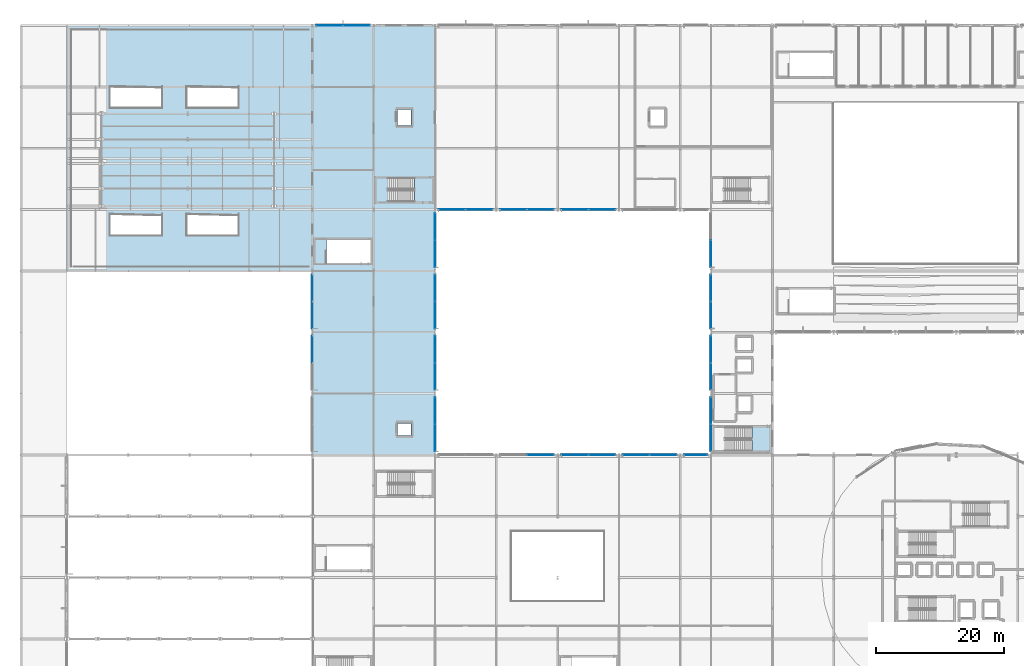
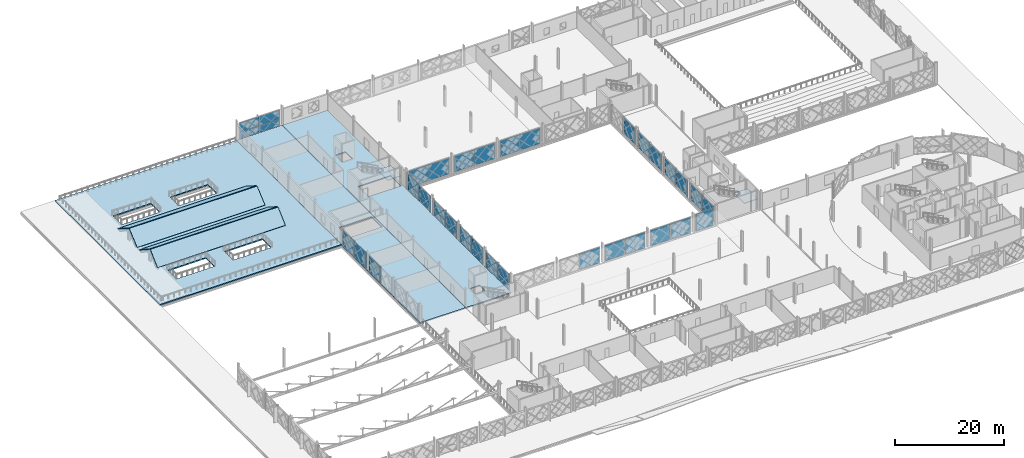
# One storey, part 61 of 101: 42 plates, 9 slabs, 20 elements without a shape of their own.
"""IFC4 building model written with IfcOpenShell, lengths in metres."""

import ifcopenshell
import ifcopenshell.guid

model = None  # the IFC model being written
_history = None  # IfcOwnerHistory: only IFC2X3 demands one
_inside = {}  # id of a spatial element -> (the spatial element, [elements in it])
_under = {}  # id of a project, library or spatial element -> (it, [spatial elements below it])
_declared = {}  # id of a project -> (the project, [libraries it declares])
_typed = {}  # id of a type object -> (the type object, [elements of that type])
_made_of = {}  # id of a material, layer set ... -> (it, [elements and type objects made of it])


def new_model(schema):
    """Start an empty IFC model of exactly this schema.

    Asked for "IFC4X3", IfcOpenShell would pick the latest addendum, in which some entities
    have other attributes; the version numbers below select the first issue.
    IFC2X3 requires an IfcOwnerHistory on every rooted entity: one is made here for all.
    """
    global model, _history
    if schema == "IFC4X3":
        model = ifcopenshell.file(schema_version=(4, 3, 0, 0))
    else:
        model = ifcopenshell.file(schema=schema)
    _inside.clear()
    _under.clear()
    _declared.clear()
    _typed.clear()
    _made_of.clear()
    _history = None
    if model.schema == "IFC2X3":
        org = make("IfcOrganization", Name="unknown")
        user = make(
            "IfcPersonAndOrganization",
            ThePerson=make("IfcPerson", FamilyName="unknown"),
            TheOrganization=org,
        )
        app = make(
            "IfcApplication",
            ApplicationDeveloper=org,
            Version="unknown",
            ApplicationFullName="unknown",
            ApplicationIdentifier="unknown",
        )
        _history = make(
            "IfcOwnerHistory",
            OwningUser=user,
            OwningApplication=app,
            ChangeAction="ADDED",
            CreationDate=0,
        )
    return model


def make(cls, **values):
    """One entity of the class cls with the attributes given. An attribute that is None is left unset."""
    return model.create_entity(
        cls, **{name: value for name, value in values.items() if value is not None}
    )


def rooted(cls, **values):
    """An entity with a GlobalId (a new one), such as an element, a storey or a relation."""
    return make(cls, GlobalId=ifcopenshell.guid.new(), OwnerHistory=_history, **values)


def si_unit(unit_type, name, prefix=None):
    """IfcSIUnit, for example si_unit("LENGTHUNIT", "METRE", prefix="MILLI")."""
    return make("IfcSIUnit", UnitType=unit_type, Prefix=prefix, Name=name)


def assignment(units):
    """IfcUnitAssignment: the units of a project."""
    return None if units is None else make("IfcUnitAssignment", Units=units)


def point(xyz):
    """IfcCartesianPoint."""
    return None if xyz is None else make("IfcCartesianPoint", Coordinates=xyz)


def direction(xyz):
    """IfcDirection."""
    return None if xyz is None else make("IfcDirection", DirectionRatios=xyz)


def frame(location, z_axis=None, x_axis=None):
    """IfcAxis2Placement3D, a coordinate frame: its origin and axes. An axis left out is left unset."""
    return make(
        "IfcAxis2Placement3D",
        Location=point(location),
        Axis=direction(z_axis),
        RefDirection=direction(x_axis),
    )


def frame_2d(location, x_axis=None):
    """IfcAxis2Placement2D, a coordinate frame in the plane: its origin and x axis."""
    return make(
        "IfcAxis2Placement2D", Location=point(location), RefDirection=direction(x_axis)
    )


def origin():
    """The frame at (0, 0, 0) with its axes left unset."""
    return frame((0.0, 0.0, 0.0))


def origin_2d():
    """The frame at (0, 0) in the plane with its x axis left unset."""
    return frame_2d((0.0, 0.0))


def place(relative_to, where):
    """IfcLocalPlacement: puts the frame where relative to a parent placement (None: the world)."""
    return make(
        "IfcLocalPlacement", PlacementRelTo=relative_to, RelativePlacement=where
    )


def context(
    kind, dimensions, precision=None, world=None, true_north=None, identifier=None
):
    """IfcGeometricRepresentationContext, for example the 3D "Model" context."""
    return make(
        "IfcGeometricRepresentationContext",
        ContextIdentifier=identifier,
        ContextType=kind,
        CoordinateSpaceDimension=dimensions,
        Precision=precision,
        WorldCoordinateSystem=world,
        TrueNorth=true_north,
    )


def subcontext(parent, identifier, kind, view, scale=None):
    """IfcGeometricRepresentationSubContext, for example "Body" below "Model"."""
    return make(
        "IfcGeometricRepresentationSubContext",
        ContextIdentifier=identifier,
        ContextType=kind,
        ParentContext=parent,
        TargetScale=scale,
        TargetView=view,
    )


def project(units=None, contexts=None):
    """IfcProject with its units and contexts."""
    return rooted(
        "IfcProject",
        Name="project",
        RepresentationContexts=contexts,
        UnitsInContext=assignment(units),
    )


def spatial(cls, under=None, at=None, **own):
    """A site, building, storey or space (cls), placed at a placement, below another one or the project."""
    s = rooted(cls, ObjectPlacement=at, **own)
    if under is not None:
        _under.setdefault(under.id(), (under, []))[1].append(s)
    return s


def polyline(points):
    """IfcPolyline through the points."""
    return make("IfcPolyline", Points=[point(p) for p in points])


def profile(cls, at=None, kind="AREA", **sizes):
    """A parametric profile (cls). Its sizes go by their IFC names, for example OverallWidth=200.0."""
    return make(cls, ProfileType=kind, Position=at, **sizes)


def rectangle(**sizes):
    """IfcRectangleProfileDef."""
    return profile("IfcRectangleProfileDef", **sizes)


def outline(outer, holes=None, kind="AREA"):
    """IfcArbitraryClosedProfileDef: a profile drawn as a closed curve; with holes, ...WithVoids."""
    if holes is None:
        return make("IfcArbitraryClosedProfileDef", ProfileType=kind, OuterCurve=outer)
    return make(
        "IfcArbitraryProfileDefWithVoids",
        ProfileType=kind,
        OuterCurve=outer,
        InnerCurves=holes,
    )


def extrude(swept, where, along, depth):
    """IfcExtrudedAreaSolid: the profile swept, set in the frame where, extruded along a direction by depth."""
    return make(
        "IfcExtrudedAreaSolid",
        SweptArea=swept,
        Position=where,
        ExtrudedDirection=direction(along),
        Depth=depth,
    )


def shape(context_of_items, identifier, shape_type, items):
    """IfcShapeRepresentation: the items that make up one representation, for example the "Body"."""
    return make(
        "IfcShapeRepresentation",
        ContextOfItems=context_of_items,
        RepresentationIdentifier=identifier,
        RepresentationType=shape_type,
        Items=items,
    )


def material(Name=None, Category=None):
    """IfcMaterial."""
    return make("IfcMaterial", Name=Name, Category=Category)


def layer(
    of_material, thickness, ventilated=None, Name=None, Category=None, Priority=None
):
    """IfcMaterialLayer: one layer of a wall or slab, of a material (None: an air gap)."""
    return make(
        "IfcMaterialLayer",
        Material=of_material,
        LayerThickness=thickness,
        IsVentilated=ventilated,
        Name=Name,
        Category=Category,
        Priority=Priority,
    )


def layer_set(layers, Name=None):
    """IfcMaterialLayerSet."""
    return make("IfcMaterialLayerSet", MaterialLayers=layers, LayerSetName=Name)


def made_of(thing, what):
    """Note that an element or type object is made of a material, layer set ...; save() writes the relation."""
    if what is not None:
        _made_of.setdefault(what.id(), (what, []))[1].append(thing)
    return thing


def type_object(cls, material=None, **own):
    """A type object (cls), such as IfcWallType, which elements share."""
    return made_of(rooted(cls, **own), material)


def element(
    cls,
    number,
    at=None,
    inside=None,
    cuts=None,
    type_object=None,
    material=None,
    context=None,
    identifier="Body",
    shape_type=None,
    held_by="IfcProductDefinitionShape",
    body=None,
    shapes=None,
    **own,
):
    """One element of the class cls, such as IfcWall. Its Tag is "e" and its number.

    at: its placement. inside: the storey or other place that contains it. cuts: it is an
    opening in that element (IfcRelVoidsElement). A single representation is given by context,
    identifier, shape_type and body (its items); several are given by shapes. held_by: the class
    of the entity that holds the representations. save() writes the other relations.
    """
    e = rooted(cls, Tag="e%d" % number, ObjectPlacement=at, **own)
    if body is not None:
        shapes = [shape(context, identifier, shape_type, body)]
    if shapes is not None:
        e.Representation = make(held_by, Representations=shapes)
    if inside is not None:
        _inside.setdefault(inside.id(), (inside, []))[1].append(e)
    if cuts is not None:
        rooted(
            "IfcRelVoidsElement", RelatingBuildingElement=cuts, RelatedOpeningElement=e
        )
    if type_object is not None:
        _typed.setdefault(type_object.id(), (type_object, []))[1].append(e)
    return made_of(e, material)


def aggregate(whole, parts):
    """IfcRelAggregates: a whole, such as a stair, and the parts it consists of."""
    return rooted("IfcRelAggregates", RelatingObject=whole, RelatedObjects=parts)


def save(model, path):
    """Write the relations noted so far, then the file.

    IfcRelAggregates (storeys below a building ...), IfcRelContainedInSpatialStructure (elements
    in a storey), IfcRelDefinesByType, IfcRelAssociatesMaterial and IfcRelDeclares: one each for
    every whole, place, type object, material and project.
    """
    for whole, parts in _under.values():
        aggregate(whole, parts)
    for where, things in _inside.values():
        rooted(
            "IfcRelContainedInSpatialStructure",
            RelatedElements=things,
            RelatingStructure=where,
        )
    for kind, things in _typed.values():
        rooted("IfcRelDefinesByType", RelatedObjects=things, RelatingType=kind)
    for what, things in _made_of.values():
        rooted("IfcRelAssociatesMaterial", RelatedObjects=things, RelatingMaterial=what)
    for by, libraries in _declared.values():
        rooted("IfcRelDeclares", RelatingContext=by, RelatedDefinitions=libraries)
    model.write(path)


model = new_model("IFC4")

# Units and contexts
model_context = context("Model", 3, precision=1e-05, world=origin(), true_north=direction((0.0, 1.0)))
body_context = subcontext(model_context, "Body", "Model", "MODEL_VIEW")
ifc_project = project(units=[si_unit("LENGTHUNIT", "METRE"), si_unit("AREAUNIT", "SQUARE_METRE"), si_unit("VOLUMEUNIT", "CUBIC_METRE"), si_unit("PLANEANGLEUNIT", "RADIAN"), si_unit("MASSUNIT", "GRAM", prefix="KILO")], contexts=[model_context])

# Site, building, storey
site_placement = place(None, origin())
site = spatial("IfcSite", under=ifc_project, at=site_placement, CompositionType="ELEMENT")
building_placement = place(site_placement, origin())
building = spatial("IfcBuilding", under=site, at=building_placement, Name="Zevrakil Square Congress Hotel", CompositionType="ELEMENT")
storey_placement = place(building_placement, frame((0.0, 0.0, 5.39990234375)))
storey = spatial("IfcBuildingStorey", under=building, at=storey_placement, Name="L02", CompositionType="ELEMENT", Elevation=5.39990234375)

# Curtain wall, plate
ifc_material_1 = material(Name="Aluminium Anodised Bronze", Category="aluminium")
ifc_layer_1 = layer(ifc_material_1, 0.179931640625)
ifc_layer_set_1 = layer_set([ifc_layer_1], Name="Aluminium Anodised Bronze")
curtain_wall_type_1 = type_object("IfcCurtainWallType", Name="CW-L02-840", PredefinedType="USERDEFINED", material=ifc_layer_set_1)
curtain_wall_1_placement = place(storey_placement, origin())
curtain_wall_1 = element("IfcCurtainWall", 1, at=curtain_wall_1_placement, inside=storey, type_object=curtain_wall_type_1, Name="L02 diamond curtain wall CW-L02-0025", ObjectType="GLAZED CURTAIN WALL", PredefinedType="USERDEFINED")
ifc_material_2 = material(Name="Low-E Solar Control Double Glazing", Category="glass")
ifc_layer_2 = layer(ifc_material_2, 0.028076171875)
ifc_layer_set_2 = layer_set([ifc_layer_2], Name="Low-E Solar Control Double Glazing")
plate_type_1 = type_object("IfcPlateType", Name="CWP-GLAZ-28", PredefinedType="CURTAIN_PANEL", material=ifc_layer_set_2)
plate_1_placement = place(storey_placement, frame((45.60009765625, 62.125, 0.06005859375), z_axis=(0.0, 0.0, 1.0), x_axis=(0.0, 1.0, 0.0)))
plate_1 = element("IfcPlate", 2, at=plate_1_placement, type_object=plate_type_1, Name="CW-23 panel 2.1", PredefinedType="CURTAIN_PANEL", context=body_context, shape_type="SweptSolid", body=[
    extrude(rectangle(XDim=4.18994140625, YDim=0.028076171875, at=origin_2d()), origin(), (0.0, 0.0, 1.0), 3.554931640625),
])
aggregate(curtain_wall_1, [plate_1])

# Curtain wall, plates
curtain_wall_2_placement = place(storey_placement, origin())
curtain_wall_2 = element("IfcCurtainWall", 3, at=curtain_wall_2_placement, inside=storey, type_object=curtain_wall_type_1, Name="L02 diamond curtain wall CW-L02-0036", ObjectType="GLAZED CURTAIN WALL", PredefinedType="USERDEFINED")
plate_2_placement = place(storey_placement, frame((48.27490234375, 112.800048828125, 0.06005859375), z_axis=(0.0, 0.0, 1.0), x_axis=(1.0, 0.0, 0.0)))
plate_2 = element("IfcPlate", 4, at=plate_2_placement, type_object=plate_type_1, Name="CW-23 panel 1.1", PredefinedType="CURTAIN_PANEL", context=body_context, shape_type="SweptSolid", body=[
    extrude(rectangle(XDim=4.18994140625, YDim=0.028076171875, at=origin_2d()), origin(), (0.0, 0.0, 1.0), 1.457763671875),
])
plate_3_placement = place(storey_placement, frame((52.52490234375, 112.800048828125, 1.577880859375), z_axis=(0.0, 0.0, 1.0), x_axis=(1.0, 0.0, 0.0)))
plate_3 = element("IfcPlate", 5, at=plate_3_placement, type_object=plate_type_1, Name="CW-23 panel 2.2", PredefinedType="CURTAIN_PANEL", context=body_context, shape_type="SweptSolid", body=[
    extrude(rectangle(XDim=4.18994140625, YDim=0.028076171875, at=origin_2d()), origin(), (0.0, 0.0, 1.0), 2.04736328125),
])

# Curtain wall, plate
curtain_wall_3_placement = place(storey_placement, origin())
curtain_wall_3 = element("IfcCurtainWall", 6, at=curtain_wall_3_placement, inside=storey, type_object=curtain_wall_type_1, Name="L02 diamond curtain wall CW-L02-0101", ObjectType="GLAZED CURTAIN WALL", PredefinedType="USERDEFINED")
plate_4_placement = place(storey_placement, frame((67.47509765625, 84.0, 0.06005859375), z_axis=(0.0, 0.0, 1.0), x_axis=(1.0, 0.0, 0.0)))
plate_4 = element("IfcPlate", 7, at=plate_4_placement, type_object=plate_type_1, Name="CW-23 panel 1.1", PredefinedType="CURTAIN_PANEL", context=body_context, shape_type="SweptSolid", body=[
    extrude(rectangle(XDim=4.18994140625, YDim=0.028076171875, at=origin_2d()), origin(), (0.0, 0.0, 1.0), 3.56494140625),
])

curtain_wall_4_placement = place(storey_placement, origin())
curtain_wall_4 = element("IfcCurtainWall", 8, at=curtain_wall_4_placement, inside=storey, type_object=curtain_wall_type_1, Name="L02 diamond curtain wall CW-L02-0103", ObjectType="GLAZED CURTAIN WALL", PredefinedType="USERDEFINED")
plate_5_placement = place(storey_placement, frame((81.324951171875, 45.60009765625, 0.06005859375), z_axis=(0.0, 0.0, 1.0), x_axis=(1.0, 0.0, 0.0)))
plate_5 = element("IfcPlate", 9, at=plate_5_placement, type_object=plate_type_1, Name="CW-23 panel 2.1", PredefinedType="CURTAIN_PANEL", context=body_context, shape_type="SweptSolid", body=[
    extrude(rectangle(XDim=4.18994140625, YDim=0.028076171875, at=origin_2d()), origin(), (0.0, 0.0, 1.0), 3.56494140625),
])
aggregate(curtain_wall_4, [plate_5])

curtain_wall_5_placement = place(storey_placement, origin())
curtain_wall_5 = element("IfcCurtainWall", 10, at=curtain_wall_5_placement, inside=storey, type_object=curtain_wall_type_1, Name="L02 diamond curtain wall CW-L02-0105", ObjectType="GLAZED CURTAIN WALL", PredefinedType="USERDEFINED")
plate_6_placement = place(storey_placement, frame((81.324951171875, 84.0, 0.06005859375), z_axis=(0.0, 0.0, 1.0), x_axis=(1.0, 0.0, 0.0)))
plate_6 = element("IfcPlate", 11, at=plate_6_placement, type_object=plate_type_1, Name="CW-23 panel 2.1", PredefinedType="CURTAIN_PANEL", context=body_context, shape_type="SweptSolid", body=[
    extrude(rectangle(XDim=4.18994140625, YDim=0.028076171875, at=origin_2d()), origin(), (0.0, 0.0, 1.0), 3.56494140625),
])

curtain_wall_6_placement = place(storey_placement, origin())
curtain_wall_6 = element("IfcCurtainWall", 12, at=curtain_wall_6_placement, inside=storey, type_object=curtain_wall_type_1, Name="L02 diamond curtain wall CW-L02-0109", ObjectType="GLAZED CURTAIN WALL", PredefinedType="USERDEFINED")
plate_7_placement = place(storey_placement, frame((86.675048828125, 84.0, 0.06005859375), z_axis=(0.0, 0.0, 1.0), x_axis=(1.0, 0.0, 0.0)))
plate_7 = element("IfcPlate", 13, at=plate_7_placement, type_object=plate_type_1, Name="CW-23 panel 1.1", PredefinedType="CURTAIN_PANEL", context=body_context, shape_type="SweptSolid", body=[
    extrude(rectangle(XDim=4.18994140625, YDim=0.028076171875, at=origin_2d()), origin(), (0.0, 0.0, 1.0), 3.56494140625),
])

curtain_wall_7_placement = place(storey_placement, origin())
curtain_wall_7 = element("IfcCurtainWall", 14, at=curtain_wall_7_placement, inside=storey, type_object=curtain_wall_type_1, Name="L02 diamond curtain wall CW-L02-0111", ObjectType="GLAZED CURTAIN WALL", PredefinedType="USERDEFINED")
plate_8_placement = place(storey_placement, frame((96.27490234375, 45.60009765625, 0.06005859375), z_axis=(0.0, 0.0, 1.0), x_axis=(1.0, 0.0, 0.0)))
plate_8 = element("IfcPlate", 15, at=plate_8_placement, type_object=plate_type_1, Name="CW-23 panel 1.1", PredefinedType="CURTAIN_PANEL", context=body_context, shape_type="SweptSolid", body=[
    extrude(rectangle(XDim=4.18994140625, YDim=0.028076171875, at=origin_2d()), origin(), (0.0, 0.0, 1.0), 3.56494140625),
])

curtain_wall_8_placement = place(storey_placement, origin())
curtain_wall_8 = element("IfcCurtainWall", 16, at=curtain_wall_8_placement, inside=storey, type_object=curtain_wall_type_1, Name="L02 diamond curtain wall CW-L02-0120", ObjectType="GLAZED CURTAIN WALL", PredefinedType="USERDEFINED")
plate_9_placement = place(storey_placement, frame((64.800048828125, 48.27490234375, 1.573486328125), z_axis=(0.0, 0.0, 1.0), x_axis=(0.0, 1.0, 0.0)))
plate_9 = element("IfcPlate", 17, at=plate_9_placement, type_object=plate_type_1, Name="CW-23 panel 1.2", PredefinedType="CURTAIN_PANEL", context=body_context, shape_type="SweptSolid", body=[
    extrude(rectangle(XDim=4.18994140625, YDim=0.028076171875, at=origin_2d()), origin(), (0.0, 0.0, 1.0), 2.04150390625),
])

curtain_wall_9_placement = place(storey_placement, origin())
curtain_wall_9 = element("IfcCurtainWall", 18, at=curtain_wall_9_placement, inside=storey, type_object=curtain_wall_type_1, Name="L02 diamond curtain wall CW-L02-0123", ObjectType="GLAZED CURTAIN WALL", PredefinedType="USERDEFINED")
plate_10_placement = place(storey_placement, frame((108.0, 52.52490234375, 0.06005859375), z_axis=(0.0, 0.0, 1.0), x_axis=(0.0, 1.0, 0.0)))
plate_10 = element("IfcPlate", 19, at=plate_10_placement, type_object=plate_type_1, Name="CW-23 panel 2.1", PredefinedType="CURTAIN_PANEL", context=body_context, shape_type="SweptSolid", body=[
    extrude(rectangle(XDim=4.18994140625, YDim=0.028076171875, at=origin_2d()), origin(), (0.0, 0.0, 1.0), 3.554931640625),
])

# Curtain wall, plates
curtain_wall_10_placement = place(storey_placement, origin())
curtain_wall_10 = element("IfcCurtainWall", 20, at=curtain_wall_10_placement, inside=storey, type_object=curtain_wall_type_1, Name="L02 diamond curtain wall CW-L02-0126", ObjectType="GLAZED CURTAIN WALL", PredefinedType="USERDEFINED")
plate_11_placement = place(storey_placement, frame((64.800048828125, 57.875, 0.06005859375), z_axis=(0.0, 0.0, 1.0), x_axis=(0.0, 1.0, 0.0)))
plate_11 = element("IfcPlate", 21, at=plate_11_placement, type_object=plate_type_1, Name="CW-23 panel 1.1", PredefinedType="CURTAIN_PANEL", context=body_context, shape_type="SweptSolid", body=[
    extrude(rectangle(XDim=4.18994140625, YDim=0.028076171875, at=origin_2d()), origin(), (0.0, 0.0, 1.0), 1.45361328125),
])
plate_12_placement = place(storey_placement, frame((64.800048828125, 62.125, 1.573486328125), z_axis=(0.0, 0.0, 1.0), x_axis=(0.0, 1.0, 0.0)))
plate_12 = element("IfcPlate", 22, at=plate_12_placement, type_object=plate_type_1, Name="CW-23 panel 2.2", PredefinedType="CURTAIN_PANEL", context=body_context, shape_type="SweptSolid", body=[
    extrude(rectangle(XDim=4.18994140625, YDim=0.028076171875, at=origin_2d()), origin(), (0.0, 0.0, 1.0), 2.04150390625),
])

# Curtain wall, plate
curtain_wall_11_placement = place(storey_placement, origin())
curtain_wall_11 = element("IfcCurtainWall", 23, at=curtain_wall_11_placement, inside=storey, type_object=curtain_wall_type_1, Name="L02 diamond curtain wall CW-L02-0129", ObjectType="GLAZED CURTAIN WALL", PredefinedType="USERDEFINED")
plate_13_placement = place(storey_placement, frame((108.0, 57.875, 0.06005859375), z_axis=(0.0, 0.0, 1.0), x_axis=(0.0, 1.0, 0.0)))
plate_13 = element("IfcPlate", 24, at=plate_13_placement, type_object=plate_type_1, Name="CW-23 panel 1.1", PredefinedType="CURTAIN_PANEL", context=body_context, shape_type="SweptSolid", body=[
    extrude(rectangle(XDim=4.18994140625, YDim=0.028076171875, at=origin_2d()), origin(), (0.0, 0.0, 1.0), 3.554931640625),
])

curtain_wall_12_placement = place(storey_placement, origin())
curtain_wall_12 = element("IfcCurtainWall", 25, at=curtain_wall_12_placement, inside=storey, type_object=curtain_wall_type_1, Name="L02 diamond curtain wall CW-L02-0132", ObjectType="GLAZED CURTAIN WALL", PredefinedType="USERDEFINED")
plate_14_placement = place(storey_placement, frame((64.800048828125, 71.72509765625, 0.06005859375), z_axis=(0.0, 0.0, 1.0), x_axis=(0.0, 1.0, 0.0)))
plate_14 = element("IfcPlate", 26, at=plate_14_placement, type_object=plate_type_1, Name="CW-23 panel 2.1", PredefinedType="CURTAIN_PANEL", context=body_context, shape_type="SweptSolid", body=[
    extrude(rectangle(XDim=4.18994140625, YDim=0.028076171875, at=origin_2d()), origin(), (0.0, 0.0, 1.0), 1.45361328125),
])

curtain_wall_13_placement = place(storey_placement, origin())
curtain_wall_13 = element("IfcCurtainWall", 27, at=curtain_wall_13_placement, inside=storey, type_object=curtain_wall_type_1, Name="L02 diamond curtain wall CW-L02-0135", ObjectType="GLAZED CURTAIN WALL", PredefinedType="USERDEFINED")
plate_15_placement = place(storey_placement, frame((108.0, 71.72509765625, 0.06005859375), z_axis=(0.0, 0.0, 1.0), x_axis=(0.0, 1.0, 0.0)))
plate_15 = element("IfcPlate", 28, at=plate_15_placement, type_object=plate_type_1, Name="CW-23 panel 2.1", PredefinedType="CURTAIN_PANEL", context=body_context, shape_type="SweptSolid", body=[
    extrude(rectangle(XDim=4.18994140625, YDim=0.028076171875, at=origin_2d()), origin(), (0.0, 0.0, 1.0), 3.554931640625),
])

# Curtain wall, plates
curtain_wall_14_placement = place(storey_placement, origin())
curtain_wall_14 = element("IfcCurtainWall", 29, at=curtain_wall_14_placement, inside=storey, type_object=curtain_wall_type_1, Name="L02 diamond curtain wall CW-L02-0138", ObjectType="GLAZED CURTAIN WALL", PredefinedType="USERDEFINED")
plate_16_placement = place(storey_placement, frame((64.800048828125, 77.074951171875, 1.573486328125), z_axis=(0.0, 0.0, 1.0), x_axis=(0.0, 1.0, 0.0)))
plate_16 = element("IfcPlate", 30, at=plate_16_placement, type_object=plate_type_1, Name="CW-23 panel 1.2", PredefinedType="CURTAIN_PANEL", context=body_context, shape_type="SweptSolid", body=[
    extrude(rectangle(XDim=4.18994140625, YDim=0.028076171875, at=origin_2d()), origin(), (0.0, 0.0, 1.0), 2.04150390625),
])
plate_17_placement = place(storey_placement, frame((64.800048828125, 81.324951171875, 1.573486328125), z_axis=(0.0, 0.0, 1.0), x_axis=(0.0, 1.0, 0.0)))
plate_17 = element("IfcPlate", 31, at=plate_17_placement, type_object=plate_type_1, Name="CW-23 panel 2.2", PredefinedType="CURTAIN_PANEL", context=body_context, shape_type="SweptSolid", body=[
    extrude(rectangle(XDim=4.18994140625, YDim=0.028076171875, at=origin_2d()), origin(), (0.0, 0.0, 1.0), 2.04150390625),
])

# Curtain wall, plate
curtain_wall_15_placement = place(storey_placement, origin())
curtain_wall_15 = element("IfcCurtainWall", 32, at=curtain_wall_15_placement, inside=storey, type_object=curtain_wall_type_1, Name="L02 diamond curtain wall CW-L02-0141", ObjectType="GLAZED CURTAIN WALL", PredefinedType="USERDEFINED")
plate_18_placement = place(storey_placement, frame((108.0, 77.074951171875, 0.06005859375), z_axis=(0.0, 0.0, 1.0), x_axis=(0.0, 1.0, 0.0)))
plate_18 = element("IfcPlate", 33, at=plate_18_placement, type_object=plate_type_1, Name="CW-23 panel 1.1", PredefinedType="CURTAIN_PANEL", context=body_context, shape_type="SweptSolid", body=[
    extrude(rectangle(XDim=4.18994140625, YDim=0.028076171875, at=origin_2d()), origin(), (0.0, 0.0, 1.0), 3.554931640625),
])
aggregate(curtain_wall_15, [plate_18])

curtain_wall_16_placement = place(storey_placement, origin())
curtain_wall_16 = element("IfcCurtainWall", 34, at=curtain_wall_16_placement, inside=storey, type_object=curtain_wall_type_1, Name="L02 diamond curtain wall CW-L02-0027", ObjectType="GLAZED CURTAIN WALL", PredefinedType="USERDEFINED")
ifc_material_3 = material(Name="Basalt Grey Ribbed GRC Panel", Category="masonry")
ifc_layer_3 = layer(ifc_material_3, 0.0439453125)
ifc_layer_set_3 = layer_set([ifc_layer_3], Name="Basalt Grey Ribbed GRC Panel")
plate_type_2 = type_object("IfcPlateType", Name="CWP-GRCG-44", PredefinedType="CURTAIN_PANEL", material=ifc_layer_set_3)
plate_19_placement = place(storey_placement, frame((45.60009765625, 71.72509765625, 0.06005859375), z_axis=(0.0, 0.0, 1.0), x_axis=(0.0, 1.0, 0.0)))
plate_19 = element("IfcPlate", 35, at=plate_19_placement, type_object=plate_type_2, Name="CW-23 panel 2.1", PredefinedType="CURTAIN_PANEL", context=body_context, shape_type="SweptSolid", body=[
    extrude(rectangle(XDim=4.18994140625, YDim=0.028076171875, at=origin_2d()), origin(), (0.0, 0.0, 1.0), 3.554931640625),
])

# Plate
plate_20_placement = place(storey_placement, frame((52.52490234375, 112.800048828125, 0.06005859375), z_axis=(0.0, 0.0, 1.0), x_axis=(1.0, 0.0, 0.0)))
plate_20 = element("IfcPlate", 36, at=plate_20_placement, type_object=plate_type_2, Name="CW-23 panel 2.1", PredefinedType="CURTAIN_PANEL", context=body_context, shape_type="SweptSolid", body=[
    extrude(rectangle(XDim=4.18994140625, YDim=0.028076171875, at=origin_2d()), origin(), (0.0, 0.0, 1.0), 1.457763671875),
])

# Curtain wall, plate
curtain_wall_17_placement = place(storey_placement, origin())
curtain_wall_17 = element("IfcCurtainWall", 37, at=curtain_wall_17_placement, inside=storey, type_object=curtain_wall_type_1, Name="L02 diamond curtain wall CW-L02-0107", ObjectType="GLAZED CURTAIN WALL", PredefinedType="USERDEFINED")
plate_21_placement = place(storey_placement, frame((90.925048828125, 45.60009765625, 0.06005859375), z_axis=(0.0, 0.0, 1.0), x_axis=(1.0, 0.0, 0.0)))
plate_21 = element("IfcPlate", 38, at=plate_21_placement, type_object=plate_type_2, Name="CW-23 panel 2.1", PredefinedType="CURTAIN_PANEL", context=body_context, shape_type="SweptSolid", body=[
    extrude(rectangle(XDim=4.18994140625, YDim=0.028076171875, at=origin_2d()), origin(), (0.0, 0.0, 1.0), 3.56494140625),
])

# Plate
plate_22_placement = place(storey_placement, frame((64.800048828125, 52.52490234375, 1.573486328125), z_axis=(0.0, 0.0, 1.0), x_axis=(0.0, 1.0, 0.0)))
plate_22 = element("IfcPlate", 39, at=plate_22_placement, type_object=plate_type_2, Name="CW-23 panel 2.2", PredefinedType="CURTAIN_PANEL", context=body_context, shape_type="SweptSolid", body=[
    extrude(rectangle(XDim=4.18994140625, YDim=0.028076171875, at=origin_2d()), origin(), (0.0, 0.0, 1.0), 2.04150390625),
])

plate_23_placement = place(storey_placement, frame((108.0, 48.27490234375, 0.06005859375), z_axis=(0.0, 0.0, 1.0), x_axis=(0.0, 1.0, 0.0)))
plate_23 = element("IfcPlate", 40, at=plate_23_placement, type_object=plate_type_2, Name="CW-23 panel 1.1", PredefinedType="CURTAIN_PANEL", context=body_context, shape_type="SweptSolid", body=[
    extrude(rectangle(XDim=4.18994140625, YDim=0.028076171875, at=origin_2d()), origin(), (0.0, 0.0, 1.0), 3.554931640625),
])

aggregate(curtain_wall_9, [plate_23, plate_10])

plate_24_placement = place(storey_placement, frame((64.800048828125, 62.125, 0.06005859375), z_axis=(0.0, 0.0, 1.0), x_axis=(0.0, 1.0, 0.0)))
plate_24 = element("IfcPlate", 41, at=plate_24_placement, type_object=plate_type_2, Name="CW-23 panel 2.1", PredefinedType="CURTAIN_PANEL", context=body_context, shape_type="SweptSolid", body=[
    extrude(rectangle(XDim=4.18994140625, YDim=0.028076171875, at=origin_2d()), origin(), (0.0, 0.0, 1.0), 1.45361328125),
])

plate_25_placement = place(storey_placement, frame((64.800048828125, 67.47509765625, 1.573486328125), z_axis=(0.0, 0.0, 1.0), x_axis=(0.0, 1.0, 0.0)))
plate_25 = element("IfcPlate", 42, at=plate_25_placement, type_object=plate_type_2, Name="CW-23 panel 1.2", PredefinedType="CURTAIN_PANEL", context=body_context, shape_type="SweptSolid", body=[
    extrude(rectangle(XDim=4.18994140625, YDim=0.028076171875, at=origin_2d()), origin(), (0.0, 0.0, 1.0), 2.04150390625),
])

plate_26_placement = place(storey_placement, frame((64.800048828125, 77.074951171875, 0.06005859375), z_axis=(0.0, 0.0, 1.0), x_axis=(0.0, 1.0, 0.0)))
plate_26 = element("IfcPlate", 43, at=plate_26_placement, type_object=plate_type_2, Name="CW-23 panel 1.1", PredefinedType="CURTAIN_PANEL", context=body_context, shape_type="SweptSolid", body=[
    extrude(rectangle(XDim=4.18994140625, YDim=0.028076171875, at=origin_2d()), origin(), (0.0, 0.0, 1.0), 1.45361328125),
])

ifc_material_4 = material(Name="White Ribbed Highland GRC Panel", Category="concrete")
ifc_layer_4 = layer(ifc_material_4, 0.0400390625)
ifc_layer_set_4 = layer_set([ifc_layer_4], Name="White Ribbed Highland GRC Panel")
plate_type_3 = type_object("IfcPlateType", Name="CWP-GRCW-40", PredefinedType="CURTAIN_PANEL", material=ifc_layer_set_4)
plate_27_placement = place(storey_placement, frame((45.60009765625, 67.47509765625, 0.06005859375), z_axis=(0.0, 0.0, 1.0), x_axis=(0.0, 1.0, 0.0)))
plate_27 = element("IfcPlate", 44, at=plate_27_placement, type_object=plate_type_3, Name="CW-23 panel 1.1", PredefinedType="CURTAIN_PANEL", context=body_context, shape_type="SweptSolid", body=[
    extrude(rectangle(XDim=4.18994140625, YDim=0.028076171875, at=origin_2d()), origin(), (0.0, 0.0, 1.0), 3.554931640625),
])

aggregate(curtain_wall_16, [plate_27, plate_19])

plate_28_placement = place(storey_placement, frame((48.27490234375, 112.800048828125, 1.577880859375), z_axis=(0.0, 0.0, 1.0), x_axis=(1.0, 0.0, 0.0)))
plate_28 = element("IfcPlate", 45, at=plate_28_placement, type_object=plate_type_3, Name="CW-23 panel 1.2", PredefinedType="CURTAIN_PANEL", context=body_context, shape_type="SweptSolid", body=[
    extrude(rectangle(XDim=4.18994140625, YDim=0.028076171875, at=origin_2d()), origin(), (0.0, 0.0, 1.0), 2.04736328125),
])

aggregate(curtain_wall_2, [plate_2, plate_28, plate_20, plate_3])

plate_29_placement = place(storey_placement, frame((71.72509765625, 84.0, 0.06005859375), z_axis=(0.0, 0.0, 1.0), x_axis=(1.0, 0.0, 0.0)))
plate_29 = element("IfcPlate", 46, at=plate_29_placement, type_object=plate_type_3, Name="CW-23 panel 2.1", PredefinedType="CURTAIN_PANEL", context=body_context, shape_type="SweptSolid", body=[
    extrude(rectangle(XDim=4.18994140625, YDim=0.028076171875, at=origin_2d()), origin(), (0.0, 0.0, 1.0), 3.56494140625),
])

aggregate(curtain_wall_3, [plate_4, plate_29])

plate_30_placement = place(storey_placement, frame((77.074951171875, 84.0, 0.06005859375), z_axis=(0.0, 0.0, 1.0), x_axis=(1.0, 0.0, 0.0)))
plate_30 = element("IfcPlate", 47, at=plate_30_placement, type_object=plate_type_3, Name="CW-23 panel 1.1", PredefinedType="CURTAIN_PANEL", context=body_context, shape_type="SweptSolid", body=[
    extrude(rectangle(XDim=4.18994140625, YDim=0.028076171875, at=origin_2d()), origin(), (0.0, 0.0, 1.0), 3.56494140625),
])

aggregate(curtain_wall_5, [plate_30, plate_6])

plate_31_placement = place(storey_placement, frame((86.675048828125, 45.60009765625, 0.06005859375), z_axis=(0.0, 0.0, 1.0), x_axis=(1.0, 0.0, 0.0)))
plate_31 = element("IfcPlate", 48, at=plate_31_placement, type_object=plate_type_3, Name="CW-23 panel 1.1", PredefinedType="CURTAIN_PANEL", context=body_context, shape_type="SweptSolid", body=[
    extrude(rectangle(XDim=4.18994140625, YDim=0.028076171875, at=origin_2d()), origin(), (0.0, 0.0, 1.0), 3.56494140625),
])

aggregate(curtain_wall_17, [plate_31, plate_21])

plate_32_placement = place(storey_placement, frame((90.925048828125, 84.0, 0.06005859375), z_axis=(0.0, 0.0, 1.0), x_axis=(1.0, 0.0, 0.0)))
plate_32 = element("IfcPlate", 49, at=plate_32_placement, type_object=plate_type_3, Name="CW-23 panel 2.1", PredefinedType="CURTAIN_PANEL", context=body_context, shape_type="SweptSolid", body=[
    extrude(rectangle(XDim=4.18994140625, YDim=0.028076171875, at=origin_2d()), origin(), (0.0, 0.0, 1.0), 3.56494140625),
])

aggregate(curtain_wall_6, [plate_7, plate_32])

plate_33_placement = place(storey_placement, frame((100.52490234375, 45.60009765625, 0.06005859375), z_axis=(0.0, 0.0, 1.0), x_axis=(1.0, 0.0, 0.0)))
plate_33 = element("IfcPlate", 50, at=plate_33_placement, type_object=plate_type_3, Name="CW-23 panel 2.1", PredefinedType="CURTAIN_PANEL", context=body_context, shape_type="SweptSolid", body=[
    extrude(rectangle(XDim=4.18994140625, YDim=0.028076171875, at=origin_2d()), origin(), (0.0, 0.0, 1.0), 3.56494140625),
])

aggregate(curtain_wall_7, [plate_8, plate_33])

# Curtain wall, plate
ifc_material_5 = material(Name="Aluminium Anodised Bronze", Category="aluminium")
ifc_layer_5 = layer(ifc_material_5, 0.179931640625)
ifc_layer_set_5 = layer_set([ifc_layer_5], Name="Aluminium Anodised Bronze")
curtain_wall_type_2 = type_object("IfcCurtainWallType", Name="CW-L02-360", PredefinedType="USERDEFINED", material=ifc_layer_set_5)
curtain_wall_18_placement = place(storey_placement, origin())
curtain_wall_18 = element("IfcCurtainWall", 51, at=curtain_wall_18_placement, inside=storey, type_object=curtain_wall_type_2, Name="L02 diamond curtain wall CW-L02-0115", ObjectType="GLAZED CURTAIN WALL", PredefinedType="USERDEFINED")
plate_34_placement = place(storey_placement, frame((105.60009765625, 45.60009765625, 0.06005859375), z_axis=(0.0, 0.0, 1.0), x_axis=(1.0, 0.0, 0.0)))
plate_34 = element("IfcPlate", 52, at=plate_34_placement, type_object=plate_type_3, Name="CW-16 panel 1.1", PredefinedType="CURTAIN_PANEL", context=body_context, shape_type="SweptSolid", body=[
    extrude(rectangle(XDim=3.639892578125, YDim=0.028076171875, at=origin_2d()), origin(), (0.0, 0.0, 1.0), 3.794921875),
])
aggregate(curtain_wall_18, [plate_34])

# Plate
plate_35_placement = place(storey_placement, frame((64.800048828125, 48.27490234375, 0.06005859375), z_axis=(0.0, 0.0, 1.0), x_axis=(0.0, 1.0, 0.0)))
plate_35 = element("IfcPlate", 53, at=plate_35_placement, type_object=plate_type_3, Name="CW-23 panel 1.1", PredefinedType="CURTAIN_PANEL", context=body_context, shape_type="SweptSolid", body=[
    extrude(rectangle(XDim=4.18994140625, YDim=0.028076171875, at=origin_2d()), origin(), (0.0, 0.0, 1.0), 1.45361328125),
])

plate_36_placement = place(storey_placement, frame((64.800048828125, 52.52490234375, 0.06005859375), z_axis=(0.0, 0.0, 1.0), x_axis=(0.0, 1.0, 0.0)))
plate_36 = element("IfcPlate", 54, at=plate_36_placement, type_object=plate_type_3, Name="CW-23 panel 2.1", PredefinedType="CURTAIN_PANEL", context=body_context, shape_type="SweptSolid", body=[
    extrude(rectangle(XDim=4.18994140625, YDim=0.028076171875, at=origin_2d()), origin(), (0.0, 0.0, 1.0), 1.45361328125),
])

aggregate(curtain_wall_8, [plate_35, plate_9, plate_36, plate_22])

plate_37_placement = place(storey_placement, frame((64.800048828125, 57.875, 1.573486328125), z_axis=(0.0, 0.0, 1.0), x_axis=(0.0, 1.0, 0.0)))
plate_37 = element("IfcPlate", 55, at=plate_37_placement, type_object=plate_type_3, Name="CW-23 panel 1.2", PredefinedType="CURTAIN_PANEL", context=body_context, shape_type="SweptSolid", body=[
    extrude(rectangle(XDim=4.18994140625, YDim=0.028076171875, at=origin_2d()), origin(), (0.0, 0.0, 1.0), 2.04150390625),
])

aggregate(curtain_wall_10, [plate_11, plate_37, plate_24, plate_12])

plate_38_placement = place(storey_placement, frame((108.0, 62.125, 0.06005859375), z_axis=(0.0, 0.0, 1.0), x_axis=(0.0, 1.0, 0.0)))
plate_38 = element("IfcPlate", 56, at=plate_38_placement, type_object=plate_type_3, Name="CW-23 panel 2.1", PredefinedType="CURTAIN_PANEL", context=body_context, shape_type="SweptSolid", body=[
    extrude(rectangle(XDim=4.18994140625, YDim=0.028076171875, at=origin_2d()), origin(), (0.0, 0.0, 1.0), 3.554931640625),
])

aggregate(curtain_wall_11, [plate_13, plate_38])

plate_39_placement = place(storey_placement, frame((64.800048828125, 67.47509765625, 0.06005859375), z_axis=(0.0, 0.0, 1.0), x_axis=(0.0, 1.0, 0.0)))
plate_39 = element("IfcPlate", 57, at=plate_39_placement, type_object=plate_type_3, Name="CW-23 panel 1.1", PredefinedType="CURTAIN_PANEL", context=body_context, shape_type="SweptSolid", body=[
    extrude(rectangle(XDim=4.18994140625, YDim=0.028076171875, at=origin_2d()), origin(), (0.0, 0.0, 1.0), 1.45361328125),
])

plate_40_placement = place(storey_placement, frame((64.800048828125, 71.72509765625, 1.573486328125), z_axis=(0.0, 0.0, 1.0), x_axis=(0.0, 1.0, 0.0)))
plate_40 = element("IfcPlate", 58, at=plate_40_placement, type_object=plate_type_3, Name="CW-23 panel 2.2", PredefinedType="CURTAIN_PANEL", context=body_context, shape_type="SweptSolid", body=[
    extrude(rectangle(XDim=4.18994140625, YDim=0.028076171875, at=origin_2d()), origin(), (0.0, 0.0, 1.0), 2.04150390625),
])

aggregate(curtain_wall_12, [plate_39, plate_25, plate_14, plate_40])

plate_41_placement = place(storey_placement, frame((108.0, 67.47509765625, 0.06005859375), z_axis=(0.0, 0.0, 1.0), x_axis=(0.0, 1.0, 0.0)))
plate_41 = element("IfcPlate", 59, at=plate_41_placement, type_object=plate_type_3, Name="CW-23 panel 1.1", PredefinedType="CURTAIN_PANEL", context=body_context, shape_type="SweptSolid", body=[
    extrude(rectangle(XDim=4.18994140625, YDim=0.028076171875, at=origin_2d()), origin(), (0.0, 0.0, 1.0), 3.554931640625),
])

aggregate(curtain_wall_13, [plate_41, plate_15])

plate_42_placement = place(storey_placement, frame((64.800048828125, 81.324951171875, 0.06005859375), z_axis=(0.0, 0.0, 1.0), x_axis=(0.0, 1.0, 0.0)))
plate_42 = element("IfcPlate", 60, at=plate_42_placement, type_object=plate_type_3, Name="CW-23 panel 2.1", PredefinedType="CURTAIN_PANEL", context=body_context, shape_type="SweptSolid", body=[
    extrude(rectangle(XDim=4.18994140625, YDim=0.028076171875, at=origin_2d()), origin(), (0.0, 0.0, 1.0), 1.45361328125),
])

aggregate(curtain_wall_14, [plate_26, plate_16, plate_42, plate_17])

# Slabs
ifc_material_6 = material(Name="Concrete C35/45", Category="concrete")
ifc_layer_6 = layer(ifc_material_6, 0.2548828125)
ifc_layer_set_6 = layer_set([ifc_layer_6], Name="Concrete C35/45")
slab_type_1 = type_object("IfcSlabType", Name="SLB-DRUM-195", PredefinedType="FLOOR", material=ifc_layer_set_6)
slab_1_placement = place(storey_placement, frame((0.0, 0.0, -0.2548828125)))
element("IfcSlab", 61, at=slab_1_placement, inside=storey, type_object=slab_type_1, Name="L02 wlink composite floor slab (W joint block)", PredefinedType="FLOOR", context=body_context, shape_type="SweptSolid", body=[
    extrude(outline(polyline([(45.60009765625, 45.60009765625), (45.60009765625, 112.800048828125), (55.175048828125, 112.800048828125), (55.175048828125, 45.60009765625), (45.60009765625, 45.60009765625)]), holes=[polyline([(47.844970703125, 75.60009765625), (54.800048828125, 75.60009765625), (54.800048828125, 79.35009765625), (47.844970703125, 79.35009765625), (47.844970703125, 75.60009765625)])]), origin(), (0.0, 0.0, 1.0), 0.2548828125),
])
slab_2_placement = place(storey_placement, frame((0.0, 0.0, -0.2548828125)))
element("IfcSlab", 62, at=slab_2_placement, inside=storey, type_object=slab_type_1, Name="L02 wlink composite floor slab (M joint block)", PredefinedType="FLOOR", context=body_context, shape_type="SweptSolid", body=[
    extrude(outline(polyline([(64.800048828125, 112.800048828125), (64.800048828125, 45.60009765625), (55.22509765625, 45.60009765625), (55.22509765625, 112.800048828125), (64.800048828125, 112.800048828125)]), holes=[polyline([(57.445068359375, 85.199951171875), (64.39990234375, 85.199951171875), (64.39990234375, 88.949951171875), (57.445068359375, 88.949951171875), (57.445068359375, 85.199951171875)]), polyline([(58.9599609375, 48.659912109375), (61.0400390625, 48.659912109375), (61.0400390625, 50.5400390625), (58.9599609375, 50.5400390625), (58.9599609375, 48.659912109375)]), polyline([(58.9599609375, 97.159912109375), (61.0400390625, 97.159912109375), (61.0400390625, 99.639892578125), (58.9599609375, 99.639892578125), (58.9599609375, 97.159912109375)])]), origin(), (0.0, 0.0, 1.0), 0.2548828125),
])
ifc_material_7 = material(Name="Concrete C35/45", Category="concrete")
ifc_layer_7 = layer(ifc_material_7, 0.25)
ifc_layer_set_7 = layer_set([ifc_layer_7], Name="Concrete C35/45")
slab_type_2 = type_object("IfcSlabType", Name="SLB-ROOF-GDN-250", PredefinedType="ROOF", material=ifc_layer_set_7)
slab_3_placement = place(storey_placement, frame((0.0, 0.0, -0.25)))
element("IfcSlab", 63, at=slab_3_placement, inside=storey, type_object=slab_type_2, Name="highland spa walkable planted roof garden", PredefinedType="ROOF", context=body_context, shape_type="SweptSolid", body=[
    extrude(outline(polyline([(7.199951171875, 74.39990234375), (45.60009765625, 74.39990234375), (45.60009765625, 112.800048828125), (7.199951171875, 112.800048828125), (7.199951171875, 74.39990234375)]), holes=[polyline([(14.0, 80.0), (22.0, 80.0), (22.0, 83.199951171875), (14.0, 83.199951171875), (14.0, 80.0)]), polyline([(26.0, 80.0), (34.0, 80.0), (34.0, 83.199951171875), (26.0, 83.199951171875), (26.0, 80.0)]), polyline([(14.0, 100.0), (22.0, 100.0), (22.0, 103.199951171875), (14.0, 103.199951171875), (14.0, 100.0)]), polyline([(26.0, 100.0), (34.0, 100.0), (34.0, 103.199951171875), (26.0, 103.199951171875), (26.0, 100.0)])]), origin(), (0.0, 0.0, 1.0), 0.25),
])
ifc_material_8 = material(Name="Concrete C35/45", Category="concrete")
ifc_layer_8 = layer(ifc_material_8, 0.139892578125)
ifc_layer_set_8 = layer_set([ifc_layer_8], Name="Concrete C35/45")
slab_type_3 = type_object("IfcSlabType", Name="SLB-SADDLE-140", PredefinedType="ROOF", material=ifc_layer_set_8)
slab_4_placement = place(storey_placement, frame((12.60009765625, 84.550048828125, 0.22021484375), z_axis=(0.0, -0.680564161611, 0.732688489012), x_axis=(1.0, 0.0, 0.0)))
element("IfcSlab", 64, at=slab_4_placement, inside=storey, type_object=slab_type_3, Name="Spa folded monitor roof facet SPM-01", PredefinedType="ROOF", context=body_context, shape_type="SweptSolid", body=[
    extrude(outline(polyline([(0.0, 0.0), (27.0, 0.0), (27.0, 3.644006852900387), (0.0, 3.644006852900387), (0.0, 0.0)])), origin(), (0.0, 0.0, -1.0), 0.14990234375),
])
slab_5_placement = place(storey_placement, frame((12.60009765625, 87.3798828125, 2.7001953125), z_axis=(0.0, 0.544515337716, 0.838750884942), x_axis=(1.0, 0.0, 0.0)))
element("IfcSlab", 65, at=slab_5_placement, inside=storey, type_object=slab_type_3, Name="Spa folded monitor roof facet SPM-02", PredefinedType="ROOF", context=body_context, shape_type="SweptSolid", body=[
    extrude(outline(polyline([(0.0, 0.0), (27.0, 0.0), (27.0, 4.55447311943758), (0.0, 4.55447311943758), (0.0, 0.0)])), origin(), (0.0, 0.0, -1.0), 0.14990234375),
])
slab_6_placement = place(storey_placement, frame((12.60009765625, 92.0, 0.22021484375), z_axis=(0.0, -0.647352390591, 0.762190843815), x_axis=(1.0, 0.0, 0.0)))
element("IfcSlab", 66, at=slab_6_placement, inside=storey, type_object=slab_type_3, Name="Spa folded monitor roof facet SPM-03", PredefinedType="ROOF", context=body_context, shape_type="SweptSolid", body=[
    extrude(outline(polyline([(0.0, 0.0), (27.0, 0.0), (27.0, 3.830959002845761), (0.0, 3.830959002845761), (0.0, 0.0)])), origin(), (0.0, 0.0, -1.0), 0.14990234375),
])
slab_7_placement = place(storey_placement, frame((12.60009765625, 95.080078125, 2.7001953125), z_axis=(0.0, 0.534646315247, 0.845075924159), x_axis=(1.0, 0.0, 0.0)))
element("IfcSlab", 67, at=slab_7_placement, inside=storey, type_object=slab_type_3, Name="Spa folded monitor roof facet SPM-04", PredefinedType="ROOF", context=body_context, shape_type="SweptSolid", body=[
    extrude(outline(polyline([(0.0, 0.0), (27.0, 0.0), (27.0, 4.638544020647533), (0.0, 4.638544020647533), (0.0, 0.0)])), origin(), (0.0, 0.0, -1.0), 0.14990234375),
])

# Stair, slab
ifc_material_9 = material(Name="Concrete C35/45", Category="concrete")
stair_type = type_object("IfcStairType", Name="STR-DOGLEG-180", PredefinedType="HALF_TURN_STAIR", material=ifc_material_9)
stair_1_placement = place(storey_placement, origin())
stair_1 = element("IfcStair", 68, at=stair_1_placement, inside=storey, type_object=stair_type, Name="L02 Protected exit stair ST05", PredefinedType="HALF_TURN_STAIR")
ifc_material_10 = material(Name="Concrete C35/45", Category="concrete")
ifc_layer_9 = layer(ifc_material_10, 0.199951171875)
ifc_layer_set_9 = layer_set([ifc_layer_9], Name="Concrete C35/45")
slab_type_4 = type_object("IfcSlabType", Name="SLB-STAIR-LAND-200", PredefinedType="LANDING", material=ifc_layer_set_9)
slab_8_placement = place(storey_placement, frame((0.0, 0.0, 2.050048828125)))
slab_8 = element("IfcSlab", 69, at=slab_8_placement, type_object=slab_type_4, Name="ST05 landing 1", PredefinedType="LANDING", context=body_context, shape_type="SweptSolid", body=[
    extrude(outline(polyline([(61.60009765625, 85.199951171875), (64.39990234375, 85.199951171875), (64.39990234375, 88.949951171875), (61.60009765625, 88.949951171875), (61.60009765625, 85.199951171875)])), origin(), (0.0, 0.0, 1.0), 0.199951171875),
])
aggregate(stair_1, [slab_8])

stair_2_placement = place(storey_placement, origin())
stair_2 = element("IfcStair", 70, at=stair_2_placement, inside=storey, type_object=stair_type, Name="L02 Protected exit stair ST07", PredefinedType="HALF_TURN_STAIR")
slab_9_placement = place(storey_placement, frame((0.0, 0.0, 2.050048828125)))
slab_9 = element("IfcSlab", 71, at=slab_9_placement, type_object=slab_type_4, Name="ST07 landing 1", PredefinedType="LANDING", context=body_context, shape_type="SweptSolid", body=[
    extrude(outline(polyline([(114.39990234375, 46.199951171875), (117.199951171875, 46.199951171875), (117.199951171875, 49.949951171875), (114.39990234375, 49.949951171875), (114.39990234375, 46.199951171875)])), origin(), (0.0, 0.0, 1.0), 0.199951171875),
])
aggregate(stair_2, [slab_9])

save(model, "model.ifc")
